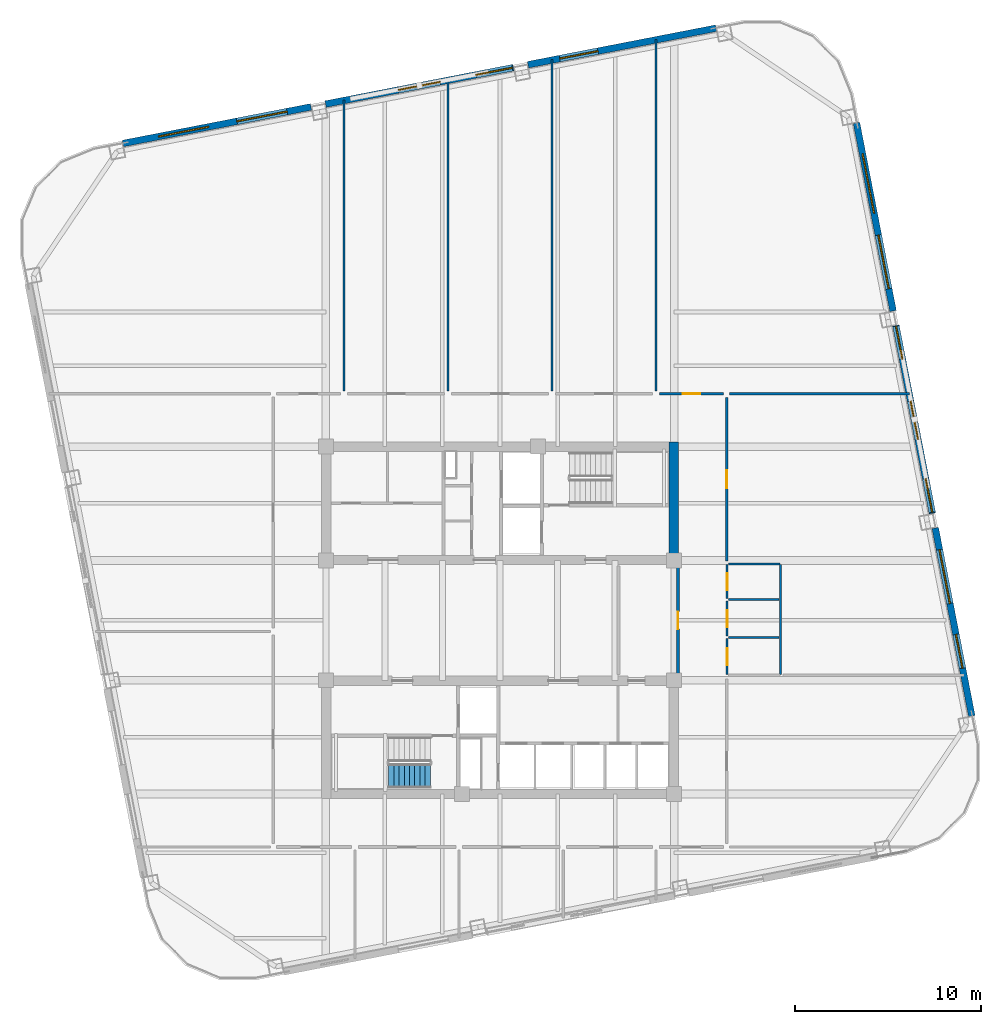
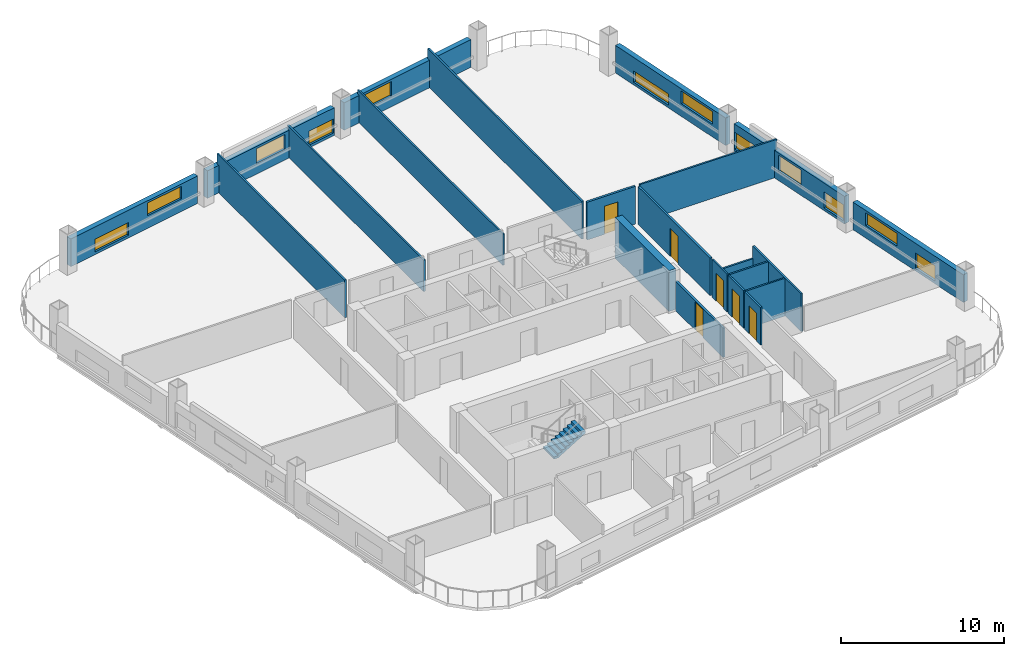
# One storey, part 5 of 9: 22 walls, 12 windows, 6 doors, 1 stair flight, 18 openings, 1 element without a shape of its own.
"""IFC4 building model written with IfcOpenShell, lengths in metres."""

import ifcopenshell
import ifcopenshell.guid

model = None  # the IFC model being written
_history = None  # IfcOwnerHistory: only IFC2X3 demands one
_inside = {}  # id of a spatial element -> (the spatial element, [elements in it])
_under = {}  # id of a project, library or spatial element -> (it, [spatial elements below it])
_declared = {}  # id of a project -> (the project, [libraries it declares])
_typed = {}  # id of a type object -> (the type object, [elements of that type])
_made_of = {}  # id of a material, layer set ... -> (it, [elements and type objects made of it])


def new_model(schema):
    """Start an empty IFC model of exactly this schema.

    Asked for "IFC4X3", IfcOpenShell would pick the latest addendum, in which some entities
    have other attributes; the version numbers below select the first issue.
    IFC2X3 requires an IfcOwnerHistory on every rooted entity: one is made here for all.
    """
    global model, _history
    if schema == "IFC4X3":
        model = ifcopenshell.file(schema_version=(4, 3, 0, 0))
    else:
        model = ifcopenshell.file(schema=schema)
    _inside.clear()
    _under.clear()
    _declared.clear()
    _typed.clear()
    _made_of.clear()
    _history = None
    if model.schema == "IFC2X3":
        org = make("IfcOrganization", Name="unknown")
        user = make(
            "IfcPersonAndOrganization",
            ThePerson=make("IfcPerson", FamilyName="unknown"),
            TheOrganization=org,
        )
        app = make(
            "IfcApplication",
            ApplicationDeveloper=org,
            Version="unknown",
            ApplicationFullName="unknown",
            ApplicationIdentifier="unknown",
        )
        _history = make(
            "IfcOwnerHistory",
            OwningUser=user,
            OwningApplication=app,
            ChangeAction="ADDED",
            CreationDate=0,
        )
    return model


def make(cls, **values):
    """One entity of the class cls with the attributes given. An attribute that is None is left unset."""
    return model.create_entity(
        cls, **{name: value for name, value in values.items() if value is not None}
    )


def rooted(cls, **values):
    """An entity with a GlobalId (a new one), such as an element, a storey or a relation."""
    return make(cls, GlobalId=ifcopenshell.guid.new(), OwnerHistory=_history, **values)


def si_unit(unit_type, name, prefix=None):
    """IfcSIUnit, for example si_unit("LENGTHUNIT", "METRE", prefix="MILLI")."""
    return make("IfcSIUnit", UnitType=unit_type, Prefix=prefix, Name=name)


def assignment(units):
    """IfcUnitAssignment: the units of a project."""
    return None if units is None else make("IfcUnitAssignment", Units=units)


def point(xyz):
    """IfcCartesianPoint."""
    return None if xyz is None else make("IfcCartesianPoint", Coordinates=xyz)


def direction(xyz):
    """IfcDirection."""
    return None if xyz is None else make("IfcDirection", DirectionRatios=xyz)


def frame(location, z_axis=None, x_axis=None):
    """IfcAxis2Placement3D, a coordinate frame: its origin and axes. An axis left out is left unset."""
    return make(
        "IfcAxis2Placement3D",
        Location=point(location),
        Axis=direction(z_axis),
        RefDirection=direction(x_axis),
    )


def frame_2d(location, x_axis=None):
    """IfcAxis2Placement2D, a coordinate frame in the plane: its origin and x axis."""
    return make(
        "IfcAxis2Placement2D", Location=point(location), RefDirection=direction(x_axis)
    )


def origin():
    """The frame at (0, 0, 0) with its axes left unset."""
    return frame((0.0, 0.0, 0.0))


def place(relative_to, where):
    """IfcLocalPlacement: puts the frame where relative to a parent placement (None: the world)."""
    return make(
        "IfcLocalPlacement", PlacementRelTo=relative_to, RelativePlacement=where
    )


def context(
    kind, dimensions, precision=None, world=None, true_north=None, identifier=None
):
    """IfcGeometricRepresentationContext, for example the 3D "Model" context."""
    return make(
        "IfcGeometricRepresentationContext",
        ContextIdentifier=identifier,
        ContextType=kind,
        CoordinateSpaceDimension=dimensions,
        Precision=precision,
        WorldCoordinateSystem=world,
        TrueNorth=true_north,
    )


def subcontext(parent, identifier, kind, view, scale=None):
    """IfcGeometricRepresentationSubContext, for example "Body" below "Model"."""
    return make(
        "IfcGeometricRepresentationSubContext",
        ContextIdentifier=identifier,
        ContextType=kind,
        ParentContext=parent,
        TargetScale=scale,
        TargetView=view,
    )


def project(units=None, contexts=None):
    """IfcProject with its units and contexts."""
    return rooted(
        "IfcProject",
        Name="project",
        RepresentationContexts=contexts,
        UnitsInContext=assignment(units),
    )


def spatial(cls, under=None, at=None, **own):
    """A site, building, storey or space (cls), placed at a placement, below another one or the project."""
    s = rooted(cls, ObjectPlacement=at, **own)
    if under is not None:
        _under.setdefault(under.id(), (under, []))[1].append(s)
    return s


def polyline(points):
    """IfcPolyline through the points."""
    return make("IfcPolyline", Points=[point(p) for p in points])


def profile(cls, at=None, kind="AREA", **sizes):
    """A parametric profile (cls). Its sizes go by their IFC names, for example OverallWidth=200.0."""
    return make(cls, ProfileType=kind, Position=at, **sizes)


def rectangle(**sizes):
    """IfcRectangleProfileDef."""
    return profile("IfcRectangleProfileDef", **sizes)


def outline(outer, holes=None, kind="AREA"):
    """IfcArbitraryClosedProfileDef: a profile drawn as a closed curve; with holes, ...WithVoids."""
    if holes is None:
        return make("IfcArbitraryClosedProfileDef", ProfileType=kind, OuterCurve=outer)
    return make(
        "IfcArbitraryProfileDefWithVoids",
        ProfileType=kind,
        OuterCurve=outer,
        InnerCurves=holes,
    )


def extrude(swept, where, along, depth):
    """IfcExtrudedAreaSolid: the profile swept, set in the frame where, extruded along a direction by depth."""
    return make(
        "IfcExtrudedAreaSolid",
        SweptArea=swept,
        Position=where,
        ExtrudedDirection=direction(along),
        Depth=depth,
    )


def shape(context_of_items, identifier, shape_type, items):
    """IfcShapeRepresentation: the items that make up one representation, for example the "Body"."""
    return make(
        "IfcShapeRepresentation",
        ContextOfItems=context_of_items,
        RepresentationIdentifier=identifier,
        RepresentationType=shape_type,
        Items=items,
    )


def material(Name=None, Category=None):
    """IfcMaterial."""
    return make("IfcMaterial", Name=Name, Category=Category)


def layer(
    of_material, thickness, ventilated=None, Name=None, Category=None, Priority=None
):
    """IfcMaterialLayer: one layer of a wall or slab, of a material (None: an air gap)."""
    return make(
        "IfcMaterialLayer",
        Material=of_material,
        LayerThickness=thickness,
        IsVentilated=ventilated,
        Name=Name,
        Category=Category,
        Priority=Priority,
    )


def layer_set(layers, Name=None):
    """IfcMaterialLayerSet."""
    return make("IfcMaterialLayerSet", MaterialLayers=layers, LayerSetName=Name)


def made_of(thing, what):
    """Note that an element or type object is made of a material, layer set ...; save() writes the relation."""
    if what is not None:
        _made_of.setdefault(what.id(), (what, []))[1].append(thing)
    return thing


def type_object(cls, material=None, **own):
    """A type object (cls), such as IfcWallType, which elements share."""
    return made_of(rooted(cls, **own), material)


def element(
    cls,
    number,
    at=None,
    inside=None,
    cuts=None,
    type_object=None,
    material=None,
    context=None,
    identifier="Body",
    shape_type=None,
    held_by="IfcProductDefinitionShape",
    body=None,
    shapes=None,
    **own,
):
    """One element of the class cls, such as IfcWall. Its Tag is "e" and its number.

    at: its placement. inside: the storey or other place that contains it. cuts: it is an
    opening in that element (IfcRelVoidsElement). A single representation is given by context,
    identifier, shape_type and body (its items); several are given by shapes. held_by: the class
    of the entity that holds the representations. save() writes the other relations.
    """
    e = rooted(cls, Tag="e%d" % number, ObjectPlacement=at, **own)
    if body is not None:
        shapes = [shape(context, identifier, shape_type, body)]
    if shapes is not None:
        e.Representation = make(held_by, Representations=shapes)
    if inside is not None:
        _inside.setdefault(inside.id(), (inside, []))[1].append(e)
    if cuts is not None:
        rooted(
            "IfcRelVoidsElement", RelatingBuildingElement=cuts, RelatedOpeningElement=e
        )
    if type_object is not None:
        _typed.setdefault(type_object.id(), (type_object, []))[1].append(e)
    return made_of(e, material)


def fill(opening, filler):
    """IfcRelFillsElement: the door or window that sits in an opening."""
    return rooted(
        "IfcRelFillsElement",
        RelatingOpeningElement=opening,
        RelatedBuildingElement=filler,
    )


def aggregate(whole, parts):
    """IfcRelAggregates: a whole, such as a stair, and the parts it consists of."""
    return rooted("IfcRelAggregates", RelatingObject=whole, RelatedObjects=parts)


def save(model, path):
    """Write the relations noted so far, then the file.

    IfcRelAggregates (storeys below a building ...), IfcRelContainedInSpatialStructure (elements
    in a storey), IfcRelDefinesByType, IfcRelAssociatesMaterial and IfcRelDeclares: one each for
    every whole, place, type object, material and project.
    """
    for whole, parts in _under.values():
        aggregate(whole, parts)
    for where, things in _inside.values():
        rooted(
            "IfcRelContainedInSpatialStructure",
            RelatedElements=things,
            RelatingStructure=where,
        )
    for kind, things in _typed.values():
        rooted("IfcRelDefinesByType", RelatedObjects=things, RelatingType=kind)
    for what, things in _made_of.values():
        rooted("IfcRelAssociatesMaterial", RelatedObjects=things, RelatingMaterial=what)
    for by, libraries in _declared.values():
        rooted("IfcRelDeclares", RelatingContext=by, RelatedDefinitions=libraries)
    model.write(path)


model = new_model("IFC4")

# Units and contexts
model_context = context("Model", 3, precision=1e-05, world=origin(), true_north=direction((0.0, 1.0)))
body_context = subcontext(model_context, "Body", "Model", "MODEL_VIEW")
ifc_project = project(units=[si_unit("LENGTHUNIT", "METRE"), si_unit("AREAUNIT", "SQUARE_METRE"), si_unit("VOLUMEUNIT", "CUBIC_METRE"), si_unit("PLANEANGLEUNIT", "RADIAN"), si_unit("MASSUNIT", "GRAM", prefix="KILO")], contexts=[model_context])

# Site, building, storey
site_placement = place(None, origin())
site = spatial("IfcSite", under=ifc_project, at=site_placement, CompositionType="ELEMENT")
building_placement = place(site_placement, origin())
building = spatial("IfcBuilding", under=site, at=building_placement, Name="Qhalaya Broadcast Tower", CompositionType="ELEMENT")
storey_placement = place(building_placement, frame((0.0, 0.0, 128.050048828125)))
storey = spatial("IfcBuildingStorey", under=building, at=storey_placement, Name="L37", CompositionType="ELEMENT", Elevation=128.050048828125)

# Wall, opening, door
ifc_material_1 = material(Name="Gypsum Acoustic Partition")
ifc_layer_1 = layer(ifc_material_1, 0.14990234375, Name="Gypsum Acoustic Partition")
ifc_layer_set_1 = layer_set([ifc_layer_1], Name="Gypsum Acoustic Partition")
wall_type_1 = type_object("IfcWallType", Name="Corridor & Tenancy Acoustic Partition 150", PredefinedType="PARTITIONING", material=ifc_layer_set_1)
wall_1_placement = place(storey_placement, frame((9.580078125, -2.320068359375, 0.0), z_axis=(0.0, 0.0, 1.0), x_axis=(0.0, 1.0, 0.0)))
wall_1 = element("IfcWall", 1, at=wall_1_placement, inside=storey, type_object=wall_type_1, Name="L37 Partition Wall W-ICHE", PredefinedType="PARTITIONING", context=body_context, shape_type="SweptSolid", body=[
    extrude(rectangle(XDim=5.840087890625, YDim=0.14990234375, at=frame_2d((2.919921875, 0.0))), origin(), (0.0, 0.0, 1.0), 2.197998046875),
])
opening_1_placement = place(wall_1_placement, frame((2.445068359375, 0.0, 0.0)))
opening_1 = element("IfcOpeningElement", 2, at=opening_1_placement, cuts=wall_1, Name="Opening D10", PredefinedType="OPENING", context=body_context, shape_type="SweptSolid", body=[
    extrude(rectangle(XDim=0.949951171875, YDim=2.10009765625, at=frame_2d((0.47509765625, 1.050048828125))), frame((0.0, 0.0869140625, 0.0), z_axis=(0.0, -1.0, 0.0), x_axis=(1.0, 0.0, 0.0)), (0.0, 0.0, 1.0), 0.173828125),
])
ifc_material_2 = material(Name="Timber Veneer Acoustic Door", Category="wood")
door_type_1 = type_object("IfcDoorType", Name="Cellular Office & Edit Booth Door D10", OperationType="NOTDEFINED", PredefinedType="DOOR", material=ifc_material_2)
door_1_placement = place(opening_1_placement, origin())
door_1 = element("IfcDoor", 3, at=door_1_placement, inside=storey, type_object=door_type_1, Name="L37 Door D-ICHE", OperationType="SINGLE_SWING_RIGHT", OverallHeight=2.10009765625, OverallWidth=0.949951171875, PredefinedType="DOOR", context=body_context, shape_type="SweptSolid", body=[
    extrude(rectangle(XDim=0.949951171875, YDim=2.10009765625, at=frame_2d((0.47509765625, 1.050048828125))), frame((0.0, 0.02490234375, 0.0), z_axis=(0.0, -1.0, 0.0), x_axis=(1.0, 0.0, 0.0)), (0.0, 0.0, 1.0), 0.050048828125),
])
fill(opening_1, door_1)

wall_2_placement = place(storey_placement, frame((8.580078125, 12.800048828125, 0.0), z_axis=(0.0, 0.0, 1.0), x_axis=(1.0, 0.0, 0.0)))
wall_2 = element("IfcWall", 4, at=wall_2_placement, inside=storey, type_object=wall_type_1, Name="L37 Partition Wall W-COR-05", PredefinedType="PARTITIONING", context=body_context, shape_type="SweptSolid", body=[
    extrude(rectangle(XDim=3.43994140625, YDim=0.14990234375, at=frame_2d((1.719970703125, 0.0))), origin(), (0.0, 0.0, 1.0), 2.829833984375),
])
opening_2_placement = place(wall_2_placement, frame((1.2451171875, 0.0, 0.0)))
opening_2 = element("IfcOpeningElement", 5, at=opening_2_placement, cuts=wall_2, Name="Opening D10", PredefinedType="OPENING", context=body_context, shape_type="SweptSolid", body=[
    extrude(rectangle(XDim=0.949951171875, YDim=2.10009765625, at=frame_2d((0.47509765625, 1.050048828125))), frame((0.0, 0.0869140625, 0.0), z_axis=(0.0, -1.0, 0.0), x_axis=(1.0, 0.0, 0.0)), (0.0, 0.0, 1.0), 0.173828125),
])
door_2_placement = place(opening_2_placement, origin())
door_2 = element("IfcDoor", 6, at=door_2_placement, inside=storey, type_object=door_type_1, Name="L37 Door D-RM05", OperationType="SINGLE_SWING_LEFT", OverallHeight=2.10009765625, OverallWidth=0.949951171875, PredefinedType="DOOR", context=body_context, shape_type="SweptSolid", body=[
    extrude(rectangle(XDim=0.949951171875, YDim=2.10009765625, at=frame_2d((0.47509765625, 1.050048828125))), frame((0.0, 0.02490234375, 0.0), z_axis=(0.0, -1.0, 0.0), x_axis=(1.0, 0.0, 0.0)), (0.0, 0.0, 1.0), 0.050048828125),
])
fill(opening_2, door_2)

wall_3_placement = place(storey_placement, frame((12.199951171875, 3.800048828125, 0.0), z_axis=(0.0, 0.0, 1.0), x_axis=(0.0, 1.0, 0.0)))
wall_3 = element("IfcWall", 7, at=wall_3_placement, inside=storey, type_object=wall_type_1, Name="L37 Partition Wall W-COR-14", PredefinedType="PARTITIONING", context=body_context, shape_type="SweptSolid", body=[
    extrude(rectangle(XDim=8.800048828125, YDim=0.14990234375, at=frame_2d((4.39990234375, 0.0))), origin(), (0.0, 0.0, 1.0), 2.829833984375),
])
opening_3_placement = place(wall_3_placement, frame((3.925048828125, 0.0, 0.0)))
opening_3 = element("IfcOpeningElement", 8, at=opening_3_placement, cuts=wall_3, Name="Opening D10", PredefinedType="OPENING", context=body_context, shape_type="SweptSolid", body=[
    extrude(rectangle(XDim=0.949951171875, YDim=2.10009765625, at=frame_2d((0.47509765625, 1.050048828125))), frame((0.0, 0.0869140625, 0.0), z_axis=(0.0, -1.0, 0.0), x_axis=(1.0, 0.0, 0.0)), (0.0, 0.0, 1.0), 0.173828125),
])
door_3_placement = place(opening_3_placement, origin())
door_3 = element("IfcDoor", 9, at=door_3_placement, inside=storey, type_object=door_type_1, Name="L37 Door D-RM14", OperationType="SINGLE_SWING_RIGHT", OverallHeight=2.10009765625, OverallWidth=0.949951171875, PredefinedType="DOOR", context=body_context, shape_type="SweptSolid", body=[
    extrude(rectangle(XDim=0.949951171875, YDim=2.10009765625, at=frame_2d((0.47509765625, 1.050048828125))), frame((0.0, 0.02490234375, 0.0), z_axis=(0.0, -1.0, 0.0), x_axis=(1.0, 0.0, 0.0)), (0.0, 0.0, 1.0), 0.050048828125),
])
fill(opening_3, door_3)

# Wall, openings, windows
ifc_material_3 = material(Name="Precast Concrete C40/50", Category="concrete")
ifc_layer_2 = layer(ifc_material_3, 0.360107421875, Name="Precast Concrete C40/50")
ifc_layer_set_2 = layer_set([ifc_layer_2], Name="Precast Concrete C40/50")
wall_type_2 = type_object("IfcWallType", Name="Insulated Precast Terracotta Exterior Wall 360", PredefinedType="SOLIDWALL", material=ifc_layer_set_2)
wall_4_placement = place(storey_placement, frame((19.189697265625, 27.37646484375, 0.0), z_axis=(0.0, 0.0, 1.0), x_axis=(0.190822765986, -0.981624506612, 0.0)))
wall_4 = element("IfcWall", 10, at=wall_4_placement, inside=storey, type_object=wall_type_2, Name="L37 Exoskeleton Diagrid Infill Wall E1", PredefinedType="SOLIDWALL", context=body_context, shape_type="SweptSolid", body=[
    extrude(rectangle(XDim=10.31201171875, YDim=0.360107421875, at=frame_2d((5.156005859375, 0.0))), origin(), (0.0, 0.0, 1.0), 2.06689453125),
])
opening_4_placement = place(wall_4_placement, frame((1.699951171875, 0.0, 0.199951171875)))
opening_4 = element("IfcOpeningElement", 11, at=opening_4_placement, cuts=wall_4, Name="Opening W11", PredefinedType="OPENING", context=body_context, shape_type="SweptSolid", body=[
    extrude(rectangle(XDim=3.25, YDim=0.85009765625, at=frame_2d((1.625, 0.425048828125))), frame((0.0, 0.192138671875, 0.0), z_axis=(0.0, -1.0, 0.0), x_axis=(1.0, 0.0, 0.0)), (0.0, 0.0, 1.0), 0.384033203125),
])
opening_5_placement = place(wall_4_placement, frame((6.14990234375, 0.0, 0.949951171875)))
opening_5 = element("IfcOpeningElement", 12, at=opening_5_placement, cuts=wall_4, Name="Opening W11", PredefinedType="OPENING", context=body_context, shape_type="SweptSolid", body=[
    extrude(rectangle(XDim=2.949951171875, YDim=0.949951171875, at=frame_2d((1.47509765625, 0.47509765625))), frame((0.0, 0.192138671875, 0.0), z_axis=(0.0, -1.0, 0.0), x_axis=(1.0, 0.0, 0.0)), (0.0, 0.0, 1.0), 0.384033203125),
])
ifc_material_4 = material(Name="Solar-Control Low-E Triple Glazing", Category="glass")
window_type = type_object("IfcWindowType", Name="Odd-Block Diagrid Infill Window W11", PartitioningType="SINGLE_PANEL", PredefinedType="WINDOW", material=ifc_material_4)
window_1_placement = place(opening_4_placement, origin())
window_1 = element("IfcWindow", 13, at=window_1_placement, inside=storey, type_object=window_type, Name="L37 Diagrid Infill Window W11-E1", OverallHeight=0.85009765625, OverallWidth=3.25, PartitioningType="SINGLE_PANEL", PredefinedType="WINDOW", context=body_context, shape_type="SweptSolid", body=[
    extrude(rectangle(XDim=3.25, YDim=0.85009765625, at=frame_2d((1.625, 0.425048828125))), frame((0.0, 0.030029296875, 0.0), z_axis=(0.0, -1.0, 0.0), x_axis=(1.0, 0.0, 0.0)), (0.0, 0.0, 1.0), 0.06005859375),
])
fill(opening_4, window_1)
window_2_placement = place(opening_5_placement, origin())
window_2 = element("IfcWindow", 14, at=window_2_placement, inside=storey, type_object=window_type, Name="L37 Diagrid Infill Window W11-E2", OverallHeight=0.949951171875, OverallWidth=2.949951171875, PartitioningType="SINGLE_PANEL", PredefinedType="WINDOW", context=body_context, shape_type="SweptSolid", body=[
    extrude(rectangle(XDim=2.949951171875, YDim=0.949951171875, at=frame_2d((1.47509765625, 0.47509765625))), frame((0.0, 0.030029296875, 0.0), z_axis=(0.0, -1.0, 0.0), x_axis=(1.0, 0.0, 0.0)), (0.0, 0.0, 1.0), 0.06005859375),
])
fill(opening_5, window_2)

wall_5_placement = place(storey_placement, frame((21.31005859375, 16.468505859375, 0.0), z_axis=(0.0, 0.0, 1.0), x_axis=(0.190811924826, -0.981626614016, 0.0)))
wall_5 = element("IfcWall", 15, at=wall_5_placement, inside=storey, type_object=wall_type_2, Name="L37 Exoskeleton Diagrid Infill Wall E2", PredefinedType="SOLIDWALL", context=body_context, shape_type="SweptSolid", body=[
    extrude(rectangle(XDim=10.2998046875, YDim=0.360107421875, at=frame_2d((5.14990234375, 0.0))), origin(), (0.0, 0.0, 1.0), 2.06689453125),
])
opening_6_placement = place(wall_5_placement, frame((0.0380859375, 0.0, 0.199951171875)))
opening_6 = element("IfcOpeningElement", 16, at=opening_6_placement, cuts=wall_5, Name="Opening W11", PredefinedType="OPENING", context=body_context, shape_type="SweptSolid", body=[
    extrude(rectangle(XDim=1.800048828125, YDim=1.25, at=frame_2d((0.89990234375, 0.625))), frame((0.0, 0.192138671875, 0.0), z_axis=(0.0, -1.0, 0.0), x_axis=(1.0, 0.0, 0.0)), (0.0, 0.0, 1.0), 0.384033203125),
])
opening_7_placement = place(wall_5_placement, frame((4.137939453125, 0.0, 0.699951171875)))
opening_7 = element("IfcOpeningElement", 17, at=opening_7_placement, cuts=wall_5, Name="Opening W11", PredefinedType="OPENING", context=body_context, shape_type="SweptSolid", body=[
    extrude(rectangle(XDim=2.10009765625, YDim=1.199951171875, at=frame_2d((1.050048828125, 0.60009765625))), frame((0.0, 0.192138671875, 0.0), z_axis=(0.0, -1.0, 0.0), x_axis=(1.0, 0.0, 0.0)), (0.0, 0.0, 1.0), 0.384033203125),
])
opening_8_placement = place(wall_5_placement, frame((8.387939453125, 0.0, 0.199951171875)))
opening_8 = element("IfcOpeningElement", 18, at=opening_8_placement, cuts=wall_5, Name="Opening W11", PredefinedType="OPENING", context=body_context, shape_type="SweptSolid", body=[
    extrude(rectangle(XDim=1.85009765625, YDim=1.199951171875, at=frame_2d((0.925048828125, 0.60009765625))), frame((0.0, 0.192138671875, 0.0), z_axis=(0.0, -1.0, 0.0), x_axis=(1.0, 0.0, 0.0)), (0.0, 0.0, 1.0), 0.384033203125),
])
window_3_placement = place(opening_6_placement, origin())
window_3 = element("IfcWindow", 19, at=window_3_placement, inside=storey, type_object=window_type, Name="L37 Diagrid Infill Window W11-E3", OverallHeight=1.25, OverallWidth=1.800048828125, PartitioningType="SINGLE_PANEL", PredefinedType="WINDOW", context=body_context, shape_type="SweptSolid", body=[
    extrude(rectangle(XDim=1.800048828125, YDim=1.25, at=frame_2d((0.89990234375, 0.625))), frame((0.0, 0.030029296875, 0.0), z_axis=(0.0, -1.0, 0.0), x_axis=(1.0, 0.0, 0.0)), (0.0, 0.0, 1.0), 0.06005859375),
])
fill(opening_6, window_3)
window_4_placement = place(opening_7_placement, origin())
window_4 = element("IfcWindow", 20, at=window_4_placement, inside=storey, type_object=window_type, Name="L37 Diagrid Infill Window W11-E4", OverallHeight=1.199951171875, OverallWidth=2.10009765625, PartitioningType="SINGLE_PANEL", PredefinedType="WINDOW", context=body_context, shape_type="SweptSolid", body=[
    extrude(rectangle(XDim=2.10009765625, YDim=1.199951171875, at=frame_2d((1.050048828125, 0.60009765625))), frame((0.0, 0.030029296875, 0.0), z_axis=(0.0, -1.0, 0.0), x_axis=(1.0, 0.0, 0.0)), (0.0, 0.0, 1.0), 0.06005859375),
])
fill(opening_7, window_4)
window_5_placement = place(opening_8_placement, origin())
window_5 = element("IfcWindow", 21, at=window_5_placement, inside=storey, type_object=window_type, Name="L37 Diagrid Infill Window W11-E5", OverallHeight=1.199951171875, OverallWidth=1.85009765625, PartitioningType="SINGLE_PANEL", PredefinedType="WINDOW", context=body_context, shape_type="SweptSolid", body=[
    extrude(rectangle(XDim=1.85009765625, YDim=1.199951171875, at=frame_2d((0.925048828125, 0.60009765625))), frame((0.0, 0.030029296875, 0.0), z_axis=(0.0, -1.0, 0.0), x_axis=(1.0, 0.0, 0.0)), (0.0, 0.0, 1.0), 0.06005859375),
])
fill(opening_8, window_5)

wall_6_placement = place(storey_placement, frame((23.427978515625, 5.572509765625, 0.0), z_axis=(0.0, 0.0, 1.0), x_axis=(0.190827200853, -0.981623644486, 0.0)))
wall_6 = element("IfcWall", 22, at=wall_6_placement, inside=storey, type_object=wall_type_2, Name="L37 Exoskeleton Diagrid Infill Wall E3", PredefinedType="SOLIDWALL", context=body_context, shape_type="SweptSolid", body=[
    extrude(rectangle(XDim=10.311767578125, YDim=0.360107421875, at=frame_2d((5.15576171875, 0.0))), origin(), (0.0, 0.0, 1.0), 2.06689453125),
])
opening_9_placement = place(wall_6_placement, frame((1.18798828125, 0.0, 0.949951171875)))
opening_9 = element("IfcOpeningElement", 23, at=opening_9_placement, cuts=wall_6, Name="Opening W11", PredefinedType="OPENING", context=body_context, shape_type="SweptSolid", body=[
    extrude(rectangle(XDim=2.949951171875, YDim=0.949951171875, at=frame_2d((1.47509765625, 0.47509765625))), frame((0.0, 0.192138671875, 0.0), z_axis=(0.0, -1.0, 0.0), x_axis=(1.0, 0.0, 0.0)), (0.0, 0.0, 1.0), 0.384033203125),
])
opening_10_placement = place(wall_6_placement, frame((5.837890625, 0.0, 0.199951171875)))
opening_10 = element("IfcOpeningElement", 24, at=opening_10_placement, cuts=wall_6, Name="Opening W11", PredefinedType="OPENING", context=body_context, shape_type="SweptSolid", body=[
    extrude(rectangle(XDim=1.85009765625, YDim=1.14990234375, at=frame_2d((0.925048828125, 0.574951171875))), frame((0.0, 0.192138671875, 0.0), z_axis=(0.0, -1.0, 0.0), x_axis=(1.0, 0.0, 0.0)), (0.0, 0.0, 1.0), 0.384033203125),
])
window_6_placement = place(opening_9_placement, origin())
window_6 = element("IfcWindow", 25, at=window_6_placement, inside=storey, type_object=window_type, Name="L37 Diagrid Infill Window W11-E6", OverallHeight=0.949951171875, OverallWidth=2.949951171875, PartitioningType="SINGLE_PANEL", PredefinedType="WINDOW", context=body_context, shape_type="SweptSolid", body=[
    extrude(rectangle(XDim=2.949951171875, YDim=0.949951171875, at=frame_2d((1.47509765625, 0.47509765625))), frame((0.0, 0.030029296875, 0.0), z_axis=(0.0, -1.0, 0.0), x_axis=(1.0, 0.0, 0.0)), (0.0, 0.0, 1.0), 0.06005859375),
])
fill(opening_9, window_6)
window_7_placement = place(opening_10_placement, origin())
window_7 = element("IfcWindow", 26, at=window_7_placement, inside=storey, type_object=window_type, Name="L37 Diagrid Infill Window W11-E7", OverallHeight=1.14990234375, OverallWidth=1.85009765625, PartitioningType="SINGLE_PANEL", PredefinedType="WINDOW", context=body_context, shape_type="SweptSolid", body=[
    extrude(rectangle(XDim=1.85009765625, YDim=1.14990234375, at=frame_2d((0.925048828125, 0.574951171875))), frame((0.0, 0.030029296875, 0.0), z_axis=(0.0, -1.0, 0.0), x_axis=(1.0, 0.0, 0.0)), (0.0, 0.0, 1.0), 0.06005859375),
])
fill(opening_10, window_7)

wall_7_placement = place(storey_placement, frame((-20.29638671875, 26.269775390625, 0.0), z_axis=(0.0, 0.0, 1.0), x_axis=(0.981628941133, 0.190799952646, 0.0)))
wall_7 = element("IfcWall", 27, at=wall_7_placement, inside=storey, type_object=wall_type_2, Name="L37 Exoskeleton Diagrid Infill Wall N1", PredefinedType="SOLIDWALL", context=body_context, shape_type="SweptSolid", body=[
    extrude(rectangle(XDim=10.31201171875, YDim=0.360107421875, at=frame_2d((5.156005859375, 0.0))), origin(), (0.0, 0.0, 1.0), 2.06689453125),
])
opening_11_placement = place(wall_7_placement, frame((1.949951171875, 0.0, 0.199951171875)))
opening_11 = element("IfcOpeningElement", 28, at=opening_11_placement, cuts=wall_7, Name="Opening W11", PredefinedType="OPENING", context=body_context, shape_type="SweptSolid", body=[
    extrude(rectangle(XDim=2.75, YDim=0.949951171875, at=frame_2d((1.375, 0.47509765625))), frame((0.0, 0.192138671875, 0.0), z_axis=(0.0, -1.0, 0.0), x_axis=(1.0, 0.0, 0.0)), (0.0, 0.0, 1.0), 0.384033203125),
])
opening_12_placement = place(wall_7_placement, frame((6.25, 0.0, 0.949951171875)))
opening_12 = element("IfcOpeningElement", 29, at=opening_12_placement, cuts=wall_7, Name="Opening W11", PredefinedType="OPENING", context=body_context, shape_type="SweptSolid", body=[
    extrude(rectangle(XDim=2.75, YDim=0.949951171875, at=frame_2d((1.375, 0.47509765625))), frame((0.0, 0.192138671875, 0.0), z_axis=(0.0, -1.0, 0.0), x_axis=(1.0, 0.0, 0.0)), (0.0, 0.0, 1.0), 0.384033203125),
])
window_8_placement = place(opening_11_placement, origin())
window_8 = element("IfcWindow", 30, at=window_8_placement, inside=storey, type_object=window_type, Name="L37 Diagrid Infill Window W11-N1", OverallHeight=0.949951171875, OverallWidth=2.75, PartitioningType="SINGLE_PANEL", PredefinedType="WINDOW", context=body_context, shape_type="SweptSolid", body=[
    extrude(rectangle(XDim=2.75, YDim=0.949951171875, at=frame_2d((1.375, 0.47509765625))), frame((0.0, 0.030029296875, 0.0), z_axis=(0.0, -1.0, 0.0), x_axis=(1.0, 0.0, 0.0)), (0.0, 0.0, 1.0), 0.06005859375),
])
fill(opening_11, window_8)
window_9_placement = place(opening_12_placement, origin())
window_9 = element("IfcWindow", 31, at=window_9_placement, inside=storey, type_object=window_type, Name="L37 Diagrid Infill Window W11-N2", OverallHeight=0.949951171875, OverallWidth=2.75, PartitioningType="SINGLE_PANEL", PredefinedType="WINDOW", context=body_context, shape_type="SweptSolid", body=[
    extrude(rectangle(XDim=2.75, YDim=0.949951171875, at=frame_2d((1.375, 0.47509765625))), frame((0.0, 0.030029296875, 0.0), z_axis=(0.0, -1.0, 0.0), x_axis=(1.0, 0.0, 0.0)), (0.0, 0.0, 1.0), 0.06005859375),
])
fill(opening_12, window_9)

wall_8_placement = place(storey_placement, frame((-9.388671875, 28.39013671875, 0.0), z_axis=(0.0, 0.0, 1.0), x_axis=(0.981627477005, 0.190807485147, 0.0)))
wall_8 = element("IfcWall", 32, at=wall_8_placement, inside=storey, type_object=wall_type_2, Name="L37 Exoskeleton Diagrid Infill Wall N2", PredefinedType="SOLIDWALL", context=body_context, shape_type="SweptSolid", body=[
    extrude(rectangle(XDim=10.300048828125, YDim=0.360107421875, at=frame_2d((5.14990234375, 0.0))), origin(), (0.0, 0.0, 1.0), 2.06689453125),
])
opening_13_placement = place(wall_8_placement, frame((3.988037109375, 0.0, 0.800048828125)))
opening_13 = element("IfcOpeningElement", 33, at=opening_13_placement, cuts=wall_8, Name="Opening W11", PredefinedType="OPENING", context=body_context, shape_type="SweptSolid", body=[
    extrude(rectangle(XDim=2.300048828125, YDim=1.10009765625, at=frame_2d((1.14990234375, 0.550048828125))), frame((0.0, 0.192138671875, 0.0), z_axis=(0.0, -1.0, 0.0), x_axis=(1.0, 0.0, 0.0)), (0.0, 0.0, 1.0), 0.384033203125),
])
opening_14_placement = place(wall_8_placement, frame((8.238037109375, 0.0, 0.199951171875)))
opening_14 = element("IfcOpeningElement", 34, at=opening_14_placement, cuts=wall_8, Name="Opening W11", PredefinedType="OPENING", context=body_context, shape_type="SweptSolid", body=[
    extrude(rectangle(XDim=2.0, YDim=1.050048828125, at=frame_2d((1.0, 0.52490234375))), frame((0.0, 0.192138671875, 0.0), z_axis=(0.0, -1.0, 0.0), x_axis=(1.0, 0.0, 0.0)), (0.0, 0.0, 1.0), 0.384033203125),
])
window_10_placement = place(opening_13_placement, origin())
window_10 = element("IfcWindow", 35, at=window_10_placement, inside=storey, type_object=window_type, Name="L37 Diagrid Infill Window W11-N3", OverallHeight=1.10009765625, OverallWidth=2.300048828125, PartitioningType="SINGLE_PANEL", PredefinedType="WINDOW", context=body_context, shape_type="SweptSolid", body=[
    extrude(rectangle(XDim=2.300048828125, YDim=1.10009765625, at=frame_2d((1.14990234375, 0.550048828125))), frame((0.0, 0.030029296875, 0.0), z_axis=(0.0, -1.0, 0.0), x_axis=(1.0, 0.0, 0.0)), (0.0, 0.0, 1.0), 0.06005859375),
])
fill(opening_13, window_10)
window_11_placement = place(opening_14_placement, origin())
window_11 = element("IfcWindow", 36, at=window_11_placement, inside=storey, type_object=window_type, Name="L37 Diagrid Infill Window W11-N4", OverallHeight=1.050048828125, OverallWidth=2.0, PartitioningType="SINGLE_PANEL", PredefinedType="WINDOW", context=body_context, shape_type="SweptSolid", body=[
    extrude(rectangle(XDim=2.0, YDim=1.050048828125, at=frame_2d((1.0, 0.52490234375))), frame((0.0, 0.030029296875, 0.0), z_axis=(0.0, -1.0, 0.0), x_axis=(1.0, 0.0, 0.0)), (0.0, 0.0, 1.0), 0.06005859375),
])
fill(opening_14, window_11)

# Wall, opening, window
wall_9_placement = place(storey_placement, frame((1.50732421875, 30.508056640625, 0.0), z_axis=(0.0, 0.0, 1.0), x_axis=(0.981628941133, 0.190799952646, 0.0)))
wall_9 = element("IfcWall", 37, at=wall_9_placement, inside=storey, type_object=wall_type_2, Name="L37 Exoskeleton Diagrid Infill Wall N3", PredefinedType="SOLIDWALL", context=body_context, shape_type="SweptSolid", body=[
    extrude(rectangle(XDim=10.31201171875, YDim=0.360107421875, at=frame_2d((5.156005859375, 0.0))), origin(), (0.0, 0.0, 1.0), 2.06689453125),
])
opening_15_placement = place(wall_9_placement, frame((1.738037109375, 0.0, 0.800048828125)))
opening_15 = element("IfcOpeningElement", 38, at=opening_15_placement, cuts=wall_9, Name="Opening W11", PredefinedType="OPENING", context=body_context, shape_type="SweptSolid", body=[
    extrude(rectangle(XDim=2.10009765625, YDim=1.10009765625, at=frame_2d((1.050048828125, 0.550048828125))), frame((0.0, 0.192138671875, 0.0), z_axis=(0.0, -1.0, 0.0), x_axis=(1.0, 0.0, 0.0)), (0.0, 0.0, 1.0), 0.384033203125),
])
window_12_placement = place(opening_15_placement, origin())
window_12 = element("IfcWindow", 39, at=window_12_placement, inside=storey, type_object=window_type, Name="L37 Diagrid Infill Window W11-N5", OverallHeight=1.10009765625, OverallWidth=2.10009765625, PartitioningType="SINGLE_PANEL", PredefinedType="WINDOW", context=body_context, shape_type="SweptSolid", body=[
    extrude(rectangle(XDim=2.10009765625, YDim=1.10009765625, at=frame_2d((1.050048828125, 0.550048828125))), frame((0.0, 0.030029296875, 0.0), z_axis=(0.0, -1.0, 0.0), x_axis=(1.0, 0.0, 0.0)), (0.0, 0.0, 1.0), 0.06005859375),
])
fill(opening_15, window_12)

# Wall
ifc_material_5 = material(Name="Concrete C50/60", Category="concrete")
ifc_layer_3 = layer(ifc_material_5, 0.5, Name="Concrete C50/60")
ifc_layer_set_3 = layer_set([ifc_layer_3], Name="Concrete C50/60")
wall_type_3 = type_object("IfcWallType", Name="Mid Split-Core Shear Wall 500", PredefinedType="SHEAR", material=ifc_layer_set_3)
wall_10_placement = place(storey_placement, frame((9.35009765625, 3.60009765625, 0.0), z_axis=(0.0, 0.0, 1.0), x_axis=(0.0, 1.0, 0.0)))
element("IfcWall", 40, at=wall_10_placement, inside=storey, type_object=wall_type_3, Name="L37 Split-Core Shear Wall CW-NE", PredefinedType="SHEAR", context=body_context, shape_type="SweptSolid", body=[
    extrude(rectangle(XDim=6.599853515625, YDim=0.5, at=frame_2d((3.2998046875, 0.0))), origin(), (0.0, 0.0, 1.0), 3.050048828125),
])

# Wall, opening, door
ifc_layer_4 = layer(ifc_material_1, 0.1201171875, Name="Gypsum Acoustic Partition")
ifc_layer_set_4 = layer_set([ifc_layer_4], Name="Gypsum Acoustic Partition")
wall_type_4 = type_object("IfcWallType", Name="Office, Booth & Sanitary Partition 120", PredefinedType="PARTITIONING", material=ifc_layer_set_4)
wall_11_placement = place(storey_placement, frame((12.219970703125, -2.320068359375, 0.0), z_axis=(0.0, 0.0, 1.0), x_axis=(0.0, 1.0, 0.0)))
wall_11 = element("IfcWall", 41, at=wall_11_placement, inside=storey, type_object=wall_type_4, Name="L37 Partition Wall W-WCWA", PredefinedType="PARTITIONING", context=body_context, shape_type="SweptSolid", body=[
    extrude(rectangle(XDim=1.940185546875, YDim=0.1201171875, at=frame_2d((0.97021484375, 0.0))), origin(), (0.0, 0.0, 1.0), 2.829833984375),
])
opening_16_placement = place(wall_11_placement, frame((0.4951171875, 0.0, 0.0)))
opening_16 = element("IfcOpeningElement", 42, at=opening_16_placement, cuts=wall_11, Name="Opening D12", PredefinedType="OPENING", context=body_context, shape_type="SweptSolid", body=[
    extrude(rectangle(XDim=0.919921875, YDim=2.10009765625, at=frame_2d((0.4599609375, 1.050048828125))), frame((0.0, 0.072021484375, 0.0), z_axis=(0.0, -1.0, 0.0), x_axis=(1.0, 0.0, 0.0)), (0.0, 0.0, 1.0), 0.14404296875),
])
door_type_2 = type_object("IfcDoorType", Name="Accessible WC & Restroom Door D12", OperationType="NOTDEFINED", PredefinedType="DOOR", material=ifc_material_2)
door_4_placement = place(opening_16_placement, origin())
door_4 = element("IfcDoor", 43, at=door_4_placement, inside=storey, type_object=door_type_2, Name="L37 Door D-WCA", OperationType="SINGLE_SWING_LEFT", OverallHeight=2.10009765625, OverallWidth=0.919921875, PredefinedType="DOOR", context=body_context, shape_type="SweptSolid", body=[
    extrude(rectangle(XDim=0.919921875, YDim=2.10009765625, at=frame_2d((0.4599609375, 1.050048828125))), frame((0.0, 0.02490234375, 0.0), z_axis=(0.0, -1.0, 0.0), x_axis=(1.0, 0.0, 0.0)), (0.0, 0.0, 1.0), 0.050048828125),
])
fill(opening_16, door_4)

wall_12_placement = place(storey_placement, frame((12.219970703125, -0.25, 0.0), z_axis=(0.0, 0.0, 1.0), x_axis=(0.0, 1.0, 0.0)))
wall_12 = element("IfcWall", 44, at=wall_12_placement, inside=storey, type_object=wall_type_4, Name="L37 Partition Wall W-WCWM", PredefinedType="PARTITIONING", context=body_context, shape_type="SweptSolid", body=[
    extrude(rectangle(XDim=1.89990234375, YDim=0.1201171875, at=frame_2d((0.949951171875, 0.0))), origin(), (0.0, 0.0, 1.0), 2.829833984375),
])
opening_17_placement = place(wall_12_placement, frame((0.47509765625, 0.0, 0.0)))
opening_17 = element("IfcOpeningElement", 45, at=opening_17_placement, cuts=wall_12, Name="Opening D12", PredefinedType="OPENING", context=body_context, shape_type="SweptSolid", body=[
    extrude(rectangle(XDim=0.919921875, YDim=2.10009765625, at=frame_2d((0.4599609375, 1.050048828125))), frame((0.0, 0.072021484375, 0.0), z_axis=(0.0, -1.0, 0.0), x_axis=(1.0, 0.0, 0.0)), (0.0, 0.0, 1.0), 0.14404296875),
])
door_5_placement = place(opening_17_placement, origin())
door_5 = element("IfcDoor", 46, at=door_5_placement, inside=storey, type_object=door_type_2, Name="L37 Door D-WCM", OperationType="SINGLE_SWING_RIGHT", OverallHeight=2.10009765625, OverallWidth=0.919921875, PredefinedType="DOOR", context=body_context, shape_type="SweptSolid", body=[
    extrude(rectangle(XDim=0.919921875, YDim=2.10009765625, at=frame_2d((0.4599609375, 1.050048828125))), frame((0.0, 0.02490234375, 0.0), z_axis=(0.0, -1.0, 0.0), x_axis=(1.0, 0.0, 0.0)), (0.0, 0.0, 1.0), 0.050048828125),
])
fill(opening_17, door_5)

wall_13_placement = place(storey_placement, frame((12.219970703125, 1.780029296875, 0.0), z_axis=(0.0, 0.0, 1.0), x_axis=(0.0, 1.0, 0.0)))
wall_13 = element("IfcWall", 47, at=wall_13_placement, inside=storey, type_object=wall_type_4, Name="L37 Partition Wall W-WCWF", PredefinedType="PARTITIONING", context=body_context, shape_type="SweptSolid", body=[
    extrude(rectangle(XDim=1.830078125, YDim=0.1201171875, at=frame_2d((0.9150390625, 0.0))), origin(), (0.0, 0.0, 1.0), 2.829833984375),
])
opening_18_placement = place(wall_13_placement, frame((0.43994140625, 0.0, 0.0)))
opening_18 = element("IfcOpeningElement", 48, at=opening_18_placement, cuts=wall_13, Name="Opening D12", PredefinedType="OPENING", context=body_context, shape_type="SweptSolid", body=[
    extrude(rectangle(XDim=0.919921875, YDim=2.10009765625, at=frame_2d((0.4599609375, 1.050048828125))), frame((0.0, 0.072021484375, 0.0), z_axis=(0.0, -1.0, 0.0), x_axis=(1.0, 0.0, 0.0)), (0.0, 0.0, 1.0), 0.14404296875),
])
door_6_placement = place(opening_18_placement, origin())
door_6 = element("IfcDoor", 49, at=door_6_placement, inside=storey, type_object=door_type_2, Name="L37 Door D-WCF", OperationType="SINGLE_SWING_LEFT", OverallHeight=2.10009765625, OverallWidth=0.919921875, PredefinedType="DOOR", context=body_context, shape_type="SweptSolid", body=[
    extrude(rectangle(XDim=0.919921875, YDim=2.10009765625, at=frame_2d((0.4599609375, 1.050048828125))), frame((0.0, 0.02490234375, 0.0), z_axis=(0.0, -1.0, 0.0), x_axis=(1.0, 0.0, 0.0)), (0.0, 0.0, 1.0), 0.050048828125),
])
fill(opening_18, door_6)

# Walls
wall_14_placement = place(storey_placement, frame((15.10009765625, -2.320068359375, 0.0), z_axis=(0.0, 0.0, 1.0), x_axis=(0.0, 1.0, 0.0)))
element("IfcWall", 50, at=wall_14_placement, inside=storey, type_object=wall_type_4, Name="L37 Partition Wall W-WCE", PredefinedType="PARTITIONING", context=body_context, shape_type="SweptSolid", body=[
    extrude(rectangle(XDim=5.93017578125, YDim=0.1201171875, at=frame_2d((2.965087890625, 0.0))), origin(), (0.0, 0.0, 1.0), 2.829833984375),
])
wall_15_placement = place(storey_placement, frame((12.31005859375, 3.639892578125, 0.0), z_axis=(0.0, 0.0, 1.0), x_axis=(1.0, 0.0, 0.0)))
element("IfcWall", 51, at=wall_15_placement, inside=storey, type_object=wall_type_4, Name="L37 Partition Wall W-WCN", PredefinedType="PARTITIONING", context=body_context, shape_type="SweptSolid", body=[
    extrude(rectangle(XDim=2.760009765625, YDim=0.1201171875, at=frame_2d((1.3798828125, 0.0))), origin(), (0.0, 0.0, 1.0), 1.883056640625),
])
for number, where, z_axis, x_axis, name in (
    (52, (12.31005859375, -0.320068359375, 0.0), (0.0, 0.0, 1.0), (1.0, 0.0, 0.0), "L37 Partition Wall W-WCD1"),
    (53, (12.31005859375, 1.719970703125, 0.0), (0.0, 0.0, 1.0), (1.0, 0.0, 0.0), "L37 Partition Wall W-WCD2"),
):
    element("IfcWall", number, at=place(storey_placement, frame(where, z_axis=z_axis, x_axis=x_axis)), inside=storey, type_object=wall_type_4, Name=name, PredefinedType="PARTITIONING", context=body_context, shape_type="SweptSolid", body=[
        extrude(rectangle(XDim=2.719970703125, YDim=0.1201171875, at=frame_2d((1.35986328125, 0.0))), origin(), (0.0, 0.0, 1.0), 2.829833984375),
    ])
wall_16_placement = place(storey_placement, frame((12.340087890625, 12.800048828125, 0.0), z_axis=(0.0, 0.0, 1.0), x_axis=(1.0, 0.0, 0.0)))
element("IfcWall", 54, at=wall_16_placement, inside=storey, type_object=wall_type_4, Name="L37 Partition Wall W-BNDE1", PredefinedType="PARTITIONING", context=body_context, shape_type="SweptSolid", body=[
    extrude(rectangle(XDim=9.703369140625, YDim=0.1201171875, at=frame_2d((4.8515625, 0.0))), origin(), (0.0, 0.0, 1.0), 2.829833984375),
])
wall_17_placement = place(storey_placement, frame((-8.39990234375, 12.9599609375, 0.0), z_axis=(0.0, 0.0, 1.0), x_axis=(0.0, 1.0, 0.0)))
element("IfcWall", 55, at=wall_17_placement, inside=storey, type_object=wall_type_4, Name="L37 Partition Wall W-DIVN1", PredefinedType="PARTITIONING", context=body_context, shape_type="SweptSolid", body=[
    extrude(rectangle(XDim=15.642578125, YDim=0.1201171875, at=frame_2d((7.8212890625, 0.0))), origin(), (0.0, 0.0, 1.0), 2.829833984375),
])
wall_18_placement = place(storey_placement, frame((-2.800048828125, 12.9599609375, 0.0), z_axis=(0.0, 0.0, 1.0), x_axis=(0.0, 1.0, 0.0)))
element("IfcWall", 56, at=wall_18_placement, inside=storey, type_object=wall_type_4, Name="L37 Partition Wall W-DIVN2", PredefinedType="PARTITIONING", context=body_context, shape_type="SweptSolid", body=[
    extrude(rectangle(XDim=16.731201171875, YDim=0.1201171875, at=frame_2d((8.36572265625, 0.0))), origin(), (0.0, 0.0, 1.0), 2.346923828125),
])
wall_19_placement = place(storey_placement, frame((2.800048828125, 12.9599609375, 0.0), z_axis=(0.0, 0.0, 1.0), x_axis=(0.0, 1.0, 0.0)))
element("IfcWall", 57, at=wall_19_placement, inside=storey, type_object=wall_type_4, Name="L37 Partition Wall W-DIVN3", PredefinedType="PARTITIONING", context=body_context, shape_type="SweptSolid", body=[
    extrude(rectangle(XDim=17.81982421875, YDim=0.1201171875, at=frame_2d((8.909912109375, 0.0))), origin(), (0.0, 0.0, 1.0), 2.346923828125),
])
wall_20_placement = place(storey_placement, frame((8.39990234375, 12.9599609375, 0.0), z_axis=(0.0, 0.0, 1.0), x_axis=(0.0, 1.0, 0.0)))
element("IfcWall", 58, at=wall_20_placement, inside=storey, type_object=wall_type_4, Name="L37 Partition Wall W-DIVN4", PredefinedType="PARTITIONING", context=body_context, shape_type="SweptSolid", body=[
    extrude(rectangle(XDim=18.908203125, YDim=0.1201171875, at=frame_2d((9.4541015625, 0.0))), origin(), (0.0, 0.0, 1.0), 2.829833984375),
])

# Stair, stair flight
ifc_material_6 = material(Name="Concrete C40/50", Category="concrete")
stair_type = type_object("IfcStairType", Name="Protected Dogleg Core Stair 3150", PredefinedType="TWO_STRAIGHT_RUN_STAIR", material=ifc_material_6)
stair_placement = place(storey_placement, origin())
stair = element("IfcStair", 59, at=stair_placement, inside=storey, type_object=stair_type, Name="L37 South Core Exit Stair ST-2", PredefinedType="TWO_STRAIGHT_RUN_STAIR")
stair_flight_type = type_object("IfcStairFlightType", Name="Precast Concrete Stair Flight 3150", PredefinedType="STRAIGHT", material=ifc_material_3)
stair_flight_placement = place(storey_placement, frame((-5.989990234375, -7.780029296875, 1.52490234375), z_axis=(0.0, 0.0, 1.0), x_axis=(1.0, 0.0, 0.0)))
stair_flight = element("IfcStairFlight", 60, at=stair_flight_placement, type_object=stair_flight_type, Name="ST-2 flight 2", NumberOfRisers=9, NumberOfTreads=8, PredefinedType="STRAIGHT", RiserHeight=0.169444444, TreadLength=0.28, context=body_context, shape_type="SweptSolid", body=[
    extrude(outline(polyline([(0.0, 0.0), (0.0, 0.16943359375), (0.280029296875, 0.16943359375), (0.280029296875, 0.3388671875), (0.56005859375, 0.3388671875), (0.56005859375, 0.50830078125), (0.840087890625, 0.50830078125), (0.840087890625, 0.677734375), (1.1201171875, 0.677734375), (1.1201171875, 0.84716796875), (1.39990234375, 0.84716796875), (1.39990234375, 1.0166015625), (1.679931640625, 1.0166015625), (1.679931640625, 1.18603515625), (1.9599609375, 1.18603515625), (1.9599609375, 1.35546875), (2.239990234375, 1.35546875), (2.239990234375, 1.52490234375), (2.239990234375, 1.180419921875), (0.28955078125, 0.0), (0.0, 0.0)])), frame((0.0, 0.66015625, 0.0), z_axis=(0.0, -1.0, 0.0), x_axis=(1.0, 0.0, 0.0)), (0.0, 0.0, 1.0), 1.320068359375),
])
aggregate(stair, [stair_flight])

save(model, "model.ifc")
